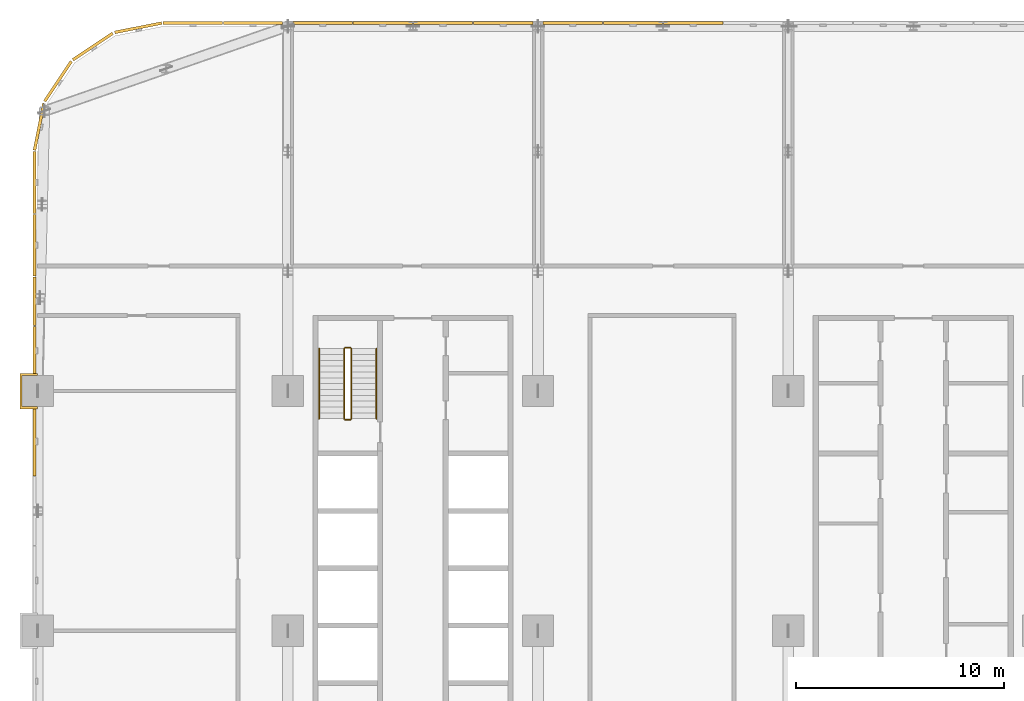
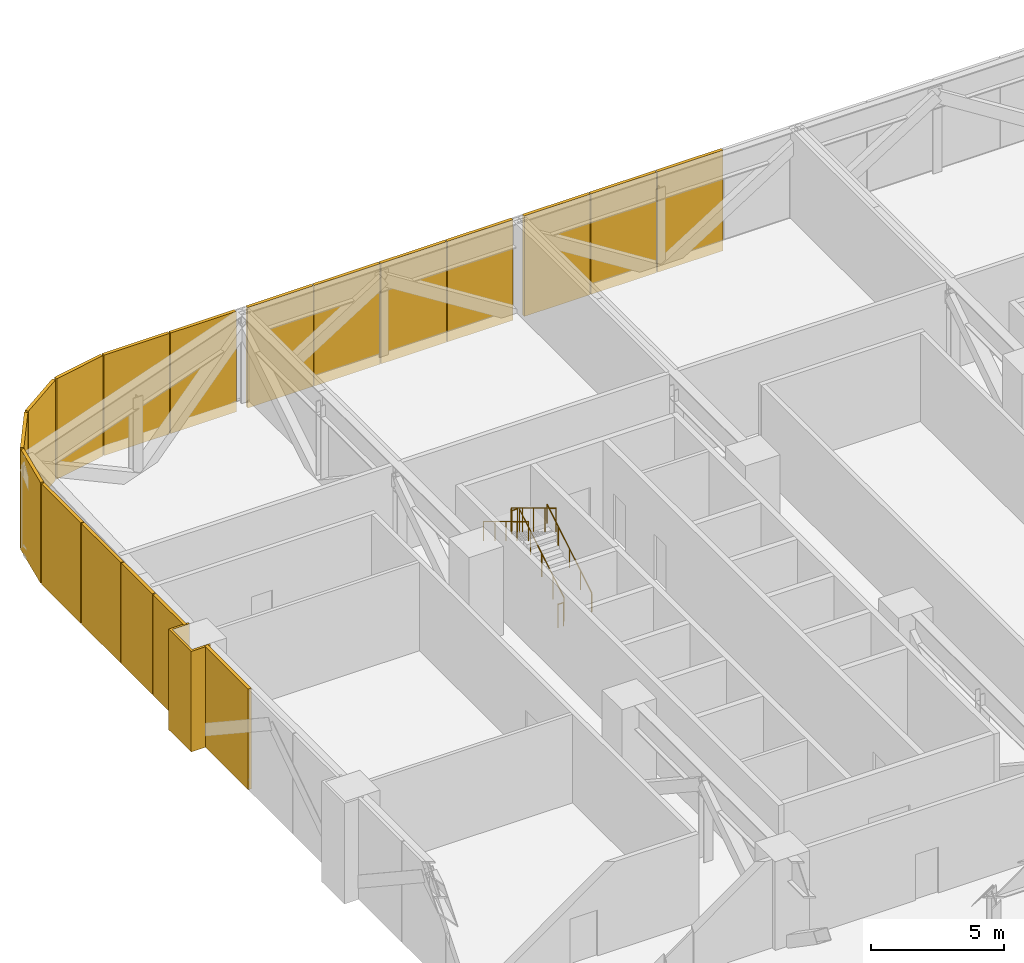
# One storey, part 23 of 26: 19 coverings, 6 railings.
"""IFC4 building model written with IfcOpenShell, lengths in metres."""

from ifc_helpers import new_model, si_unit, direction, frame, origin, origin_2d, place, context, subcontext, project, spatial, polyline, rectangle, circle, outline, extrude, material, layer, layer_set, type_object, element, save


model = new_model("IFC4")

# Units and contexts
model_context = context("Model", 3, precision=1e-05, world=origin(), true_north=direction((0.0, 1.0)))
body_context = subcontext(model_context, "Body", "Model", "MODEL_VIEW")
ifc_project = project(units=[si_unit("LENGTHUNIT", "METRE"), si_unit("AREAUNIT", "SQUARE_METRE"), si_unit("VOLUMEUNIT", "CUBIC_METRE"), si_unit("PLANEANGLEUNIT", "RADIAN"), si_unit("MASSUNIT", "GRAM", prefix="KILO")], contexts=[model_context])

# Site, building, storey
site_placement = place(None, origin())
site = spatial("IfcSite", under=ifc_project, at=site_placement, CompositionType="ELEMENT")
building_placement = place(site_placement, origin())
building = spatial("IfcBuilding", under=site, at=building_placement, Name="Mahtab Terrace Research Tower", CompositionType="ELEMENT")
storey_placement = place(building_placement, frame((0.0, 0.0, 80.39990234375)))
storey = spatial("IfcBuildingStorey", under=building, at=storey_placement, Name="L18", CompositionType="ELEMENT", Elevation=80.39990234375)

# Coverings
ifc_material_1 = material(Name="Dark anodised aluminium cladding", Category="aluminium")
ifc_layer = layer(ifc_material_1, 0.10009765625)
ifc_layer_set = layer_set([ifc_layer], Name="Column casing 100")
covering_type_1 = type_object("IfcCoveringType", Name="Column casing 100", PredefinedType="CLADDING", material=ifc_layer_set)
covering_1_placement = place(storey_placement, frame((0.0, 0.0, -0.5498046875)))
element("IfcCovering", 1, at=covering_1_placement, inside=storey, type_object=covering_type_1, Name="Column casing RC-1C L18", PredefinedType="CLADDING", context=body_context, shape_type="SweptSolid", body=[
    extrude(outline(polyline([(-42.85009765625, 12.35009765625), (-42.0, 12.35009765625), (-42.0, 12.25), (-42.75, 12.25), (-42.75, 10.75), (-42.0, 10.75), (-42.0, 10.64990234375), (-42.85009765625, 10.64990234375), (-42.85009765625, 12.35009765625)])), origin(), (0.0, 0.0, 1.0), 4.60986328125),
])
ifc_material_2 = material(Name="Natural anodised aluminium", Category="aluminium")
covering_type_2 = type_object("IfcCoveringType", Name="Plant storey louvre bay", PredefinedType="CLADDING", material=ifc_material_2)
for number, where, z_axis, x_axis, name in (
    (2, (-10.556884765625, 29.159912109375, -0.5498046875), (0.0, 0.0, 1.0), (-1.0, 0.0, 0.0), "Louvre bay L18 26"),
    (3, (-13.443115234375, 29.159912109375, -0.5498046875), (0.0, 0.0, 1.0), (-1.0, 0.0, 0.0), "Louvre bay L18 27"),
    (4, (-16.3291015625, 29.159912109375, -0.5498046875), (0.0, 0.0, 1.0), (-1.0, 0.0, 0.0), "Louvre bay L18 28"),
    (5, (-19.6708984375, 29.159912109375, -0.5498046875), (0.0, 0.0, 1.0), (-1.0, 0.0, 0.0), "Louvre bay L18 29"),
    (6, (-22.556884765625, 29.159912109375, -0.5498046875), (0.0, 0.0, 1.0), (-1.0, 0.0, 0.0), "Louvre bay L18 30"),
    (7, (-25.443115234375, 29.159912109375, -0.5498046875), (0.0, 0.0, 1.0), (-1.0, 0.0, 0.0), "Louvre bay L18 31"),
    (8, (-28.3291015625, 29.159912109375, -0.5498046875), (0.0, 0.0, 1.0), (-1.0, 0.0, 0.0), "Louvre bay L18 32"),
    (9, (-31.6708984375, 29.159912109375, -0.5498046875), (0.0, 0.0, 1.0), (-1.0, 0.0, 0.0), "Louvre bay L18 33"),
    (10, (-34.556884765625, 29.159912109375, -0.5498046875), (0.0, 0.0, 1.0), (-1.0, 0.0, 0.0), "Louvre bay L18 34"),
):
    element("IfcCovering", number, at=place(storey_placement, frame(where, z_axis=z_axis, x_axis=x_axis)), inside=storey, type_object=covering_type_2, Name=name, PredefinedType="CLADDING", context=body_context, shape_type="SweptSolid", body=[
        extrude(rectangle(XDim=2.845947265625, YDim=0.139892578125, at=origin_2d()), origin(), (0.0, 0.0, 1.0), 4.610107421875),
    ])
for number, where, z_axis, x_axis, name in (
    (11, (-37.17919921875, 28.928466796875, -0.5498046875), (0.0, 0.0, 1.0), (-0.980760981187, -0.195212442692, 0.0), "Louvre bay L18 35"),
    (12, (-39.3583984375, 28.026123046875, -0.5498046875), (0.0, 0.0, 1.0), (-0.831655794326, -0.555291490808, 0.0), "Louvre bay L18 36"),
    (13, (-41.026123046875, 26.3583984375, -0.5498046875), (0.0, 0.0, 1.0), (-0.555291490808, -0.831655794326, 0.0), "Louvre bay L18 37"),
    (14, (-41.928466796875, 24.17919921875, -0.5498046875), (0.0, 0.0, 1.0), (-0.195212442692, -0.980760981187, 0.0), "Louvre bay L18 38"),
):
    element("IfcCovering", number, at=place(storey_placement, frame(where, z_axis=z_axis, x_axis=x_axis)), inside=storey, type_object=covering_type_2, Name=name, PredefinedType="CLADDING", context=body_context, shape_type="SweptSolid", body=[
        extrude(rectangle(XDim=2.301025390625, YDim=0.139892578125, at=origin_2d()), origin(), (0.0, 0.0, 1.0), 4.610107421875),
    ])
for number, where, z_axis, x_axis, name in (
    (15, (-42.159912109375, 21.5, -0.5498046875), (0.0, 0.0, 1.0), (0.0, -1.0, 0.0), "Louvre bay L18 39"),
    (16, (-42.159912109375, 18.5, -0.5498046875), (0.0, 0.0, 1.0), (0.0, -1.0, 0.0), "Louvre bay L18 40"),
):
    element("IfcCovering", number, at=place(storey_placement, frame(where, z_axis=z_axis, x_axis=x_axis)), inside=storey, type_object=covering_type_2, Name=name, PredefinedType="CLADDING", context=body_context, shape_type="SweptSolid", body=[
        extrude(rectangle(XDim=2.9599609375, YDim=0.139892578125, at=origin_2d()), origin(), (0.0, 0.0, 1.0), 4.610107421875),
    ])
for number, where, z_axis, x_axis, name in (
    (17, (-42.159912109375, 15.8125, -0.5498046875), (0.0, 0.0, 1.0), (0.0, -1.0, 0.0), "Louvre bay L18 41"),
    (18, (-42.159912109375, 13.4375, -0.5498046875), (0.0, 0.0, 1.0), (0.0, -1.0, 0.0), "Louvre bay L18 42"),
):
    element("IfcCovering", number, at=place(storey_placement, frame(where, z_axis=z_axis, x_axis=x_axis)), inside=storey, type_object=covering_type_2, Name=name, PredefinedType="CLADDING", context=body_context, shape_type="SweptSolid", body=[
        extrude(rectangle(XDim=2.3349609375, YDim=0.139892578125, at=origin_2d()), origin(), (0.0, 0.0, 1.0), 4.610107421875),
    ])
covering_2_placement = place(storey_placement, frame((-42.159912109375, 9.083251953125, -0.5498046875), z_axis=(0.0, 0.0, 1.0), x_axis=(0.0, -1.0, 0.0)))
element("IfcCovering", 19, at=covering_2_placement, inside=storey, type_object=covering_type_2, Name="Louvre bay L18 43", PredefinedType="CLADDING", context=body_context, shape_type="SweptSolid", body=[
    extrude(rectangle(XDim=3.293212890625, YDim=0.139892578125, at=origin_2d()), origin(), (0.0, 0.0, 1.0), 4.610107421875),
])

# Railings
ifc_material_3 = material(Name="Stainless steel AISI 304", Category="steel")
railing_type_1 = type_object("IfcRailingType", Name="Stair guard 1100", PredefinedType="GUARDRAIL", material=ifc_material_3)
railing_1_placement = place(storey_placement, frame((-26.949951171875, 10.175048828125, 0.16943359375)))
element("IfcRailing", 20, at=railing_1_placement, inside=storey, type_object=railing_type_1, Name="L18 ST1 stair guard 1", PredefinedType="GUARDRAIL", context=body_context, shape_type="SweptSolid", body=[
    extrude(circle(Radius=0.02392578125, at=origin_2d()), frame((0.0, 0.0, 1.076171875), z_axis=(0.0, 0.855820338506, 0.51727318527), x_axis=(-1.0, 0.0, 0.0)), (0.0, 0.0, 1.0), 3.92578125),
    extrude(circle(Radius=0.02099609375, at=origin_2d()), origin(), (0.0, 0.0, 1.0), 1.052001953125),
    extrude(circle(Radius=0.02099609375, at=origin_2d()), frame((0.0, 0.83984375, 0.5078125)), (0.0, 0.0, 1.0), 1.052001953125),
    extrude(circle(Radius=0.02099609375, at=origin_2d()), frame((0.0, 1.679931640625, 1.015380859375)), (0.0, 0.0, 1.0), 1.052001953125),
    extrude(circle(Radius=0.02099609375, at=origin_2d()), frame((0.0, 2.52001953125, 1.52294921875)), (0.0, 0.0, 1.0), 1.052001953125),
    extrude(circle(Radius=0.02099609375, at=origin_2d()), frame((0.0, 3.35986328125, 2.03076171875)), (0.0, 0.0, 1.0), 1.052001953125),
])
railing_2_placement = place(storey_placement, frame((-27.0, 13.5849609375, 2.2001953125)))
element("IfcRailing", 21, at=railing_2_placement, inside=storey, type_object=railing_type_1, Name="L18 ST1 stair guard 2", PredefinedType="GUARDRAIL", context=body_context, shape_type="SweptSolid", body=[
    extrude(circle(Radius=0.02392578125, at=origin_2d()), frame((0.0, 0.0, 1.076171875), z_axis=(-1.0, 0.0, 0.0), x_axis=(0.0, -1.0, 0.0)), (0.0, 0.0, 1.0), 0.25),
    extrude(circle(Radius=0.02099609375, at=origin_2d()), origin(), (0.0, 0.0, 1.0), 1.052001953125),
    extrude(circle(Radius=0.02099609375, at=origin_2d()), frame((-0.25, 0.0, 0.0)), (0.0, 0.0, 1.0), 1.052001953125),
])
railing_3_placement = place(storey_placement, frame((-27.300048828125, 13.534912109375, 2.369384765625)))
element("IfcRailing", 22, at=railing_3_placement, inside=storey, type_object=railing_type_1, Name="L18 ST1 stair guard 3", PredefinedType="GUARDRAIL", context=body_context, shape_type="SweptSolid", body=[
    extrude(circle(Radius=0.02392578125, at=origin_2d()), frame((0.0, 0.0, 1.076171875), z_axis=(0.0, -0.855820338506, 0.51727318527), x_axis=(1.0, 0.0, 0.0)), (0.0, 0.0, 1.0), 3.92578125),
    extrude(circle(Radius=0.02099609375, at=origin_2d()), origin(), (0.0, 0.0, 1.0), 1.052001953125),
    extrude(circle(Radius=0.02099609375, at=origin_2d()), frame((0.0, -0.83984375, 0.5078125)), (0.0, 0.0, 1.0), 1.052001953125),
    extrude(circle(Radius=0.02099609375, at=origin_2d()), frame((0.0, -1.679931640625, 1.015380859375)), (0.0, 0.0, 1.0), 1.052001953125),
    extrude(circle(Radius=0.02099609375, at=origin_2d()), frame((0.0, -2.52001953125, 1.52294921875)), (0.0, 0.0, 1.0), 1.052001953125),
    extrude(circle(Radius=0.02099609375, at=origin_2d()), frame((0.0, -3.35986328125, 2.03076171875)), (0.0, 0.0, 1.0), 1.052001953125),
])
railing_4_placement = place(storey_placement, frame((-27.0, 10.125, 0.0)))
element("IfcRailing", 23, at=railing_4_placement, inside=storey, type_object=railing_type_1, Name="L18 ST1 stair guard 4", PredefinedType="GUARDRAIL", context=body_context, shape_type="SweptSolid", body=[
    extrude(circle(Radius=0.02392578125, at=origin_2d()), frame((0.0, 0.0, 1.076171875), z_axis=(-1.0, 0.0, 0.0), x_axis=(0.0, -1.0, 0.0)), (0.0, 0.0, 1.0), 0.25),
    extrude(circle(Radius=0.02099609375, at=origin_2d()), origin(), (0.0, 0.0, 1.0), 1.052001953125),
    extrude(circle(Radius=0.02099609375, at=origin_2d()), frame((-0.25, 0.0, 0.0)), (0.0, 0.0, 1.0), 1.052001953125),
])
railing_type_2 = type_object("IfcRailingType", Name="Stair handrail 900", PredefinedType="HANDRAIL", material=ifc_material_3)
railing_5_placement = place(storey_placement, frame((-25.75, 10.175048828125, 0.16943359375)))
element("IfcRailing", 24, at=railing_5_placement, inside=storey, type_object=railing_type_2, Name="L18 ST1 stair handrail 1", PredefinedType="HANDRAIL", context=body_context, shape_type="SweptSolid", body=[
    extrude(circle(Radius=0.02392578125, at=origin_2d()), frame((0.0, 0.0, 0.8759765625), z_axis=(0.0, 0.855820338506, 0.51727318527), x_axis=(-1.0, 0.0, 0.0)), (0.0, 0.0, 1.0), 3.92578125),
    extrude(circle(Radius=0.02099609375, at=origin_2d()), origin(), (0.0, 0.0, 1.0), 0.851806640625),
    extrude(circle(Radius=0.02099609375, at=origin_2d()), frame((0.0, 0.83984375, 0.5078125)), (0.0, 0.0, 1.0), 0.851806640625),
    extrude(circle(Radius=0.02099609375, at=origin_2d()), frame((0.0, 1.679931640625, 1.015380859375)), (0.0, 0.0, 1.0), 0.851806640625),
    extrude(circle(Radius=0.02099609375, at=origin_2d()), frame((0.0, 2.52001953125, 1.52294921875)), (0.0, 0.0, 1.0), 0.851806640625),
    extrude(circle(Radius=0.02099609375, at=origin_2d()), frame((0.0, 3.35986328125, 2.03076171875)), (0.0, 0.0, 1.0), 0.851806640625),
])
railing_6_placement = place(storey_placement, frame((-28.5, 13.534912109375, 2.369384765625)))
element("IfcRailing", 25, at=railing_6_placement, inside=storey, type_object=railing_type_2, Name="L18 ST1 stair handrail 2", PredefinedType="HANDRAIL", context=body_context, shape_type="SweptSolid", body=[
    extrude(circle(Radius=0.02392578125, at=origin_2d()), frame((0.0, 0.0, 0.8759765625), z_axis=(0.0, -0.855820338506, 0.51727318527), x_axis=(1.0, 0.0, 0.0)), (0.0, 0.0, 1.0), 3.92578125),
    extrude(circle(Radius=0.02099609375, at=origin_2d()), origin(), (0.0, 0.0, 1.0), 0.851806640625),
    extrude(circle(Radius=0.02099609375, at=origin_2d()), frame((0.0, -0.83984375, 0.5078125)), (0.0, 0.0, 1.0), 0.851806640625),
    extrude(circle(Radius=0.02099609375, at=origin_2d()), frame((0.0, -1.679931640625, 1.015380859375)), (0.0, 0.0, 1.0), 0.851806640625),
    extrude(circle(Radius=0.02099609375, at=origin_2d()), frame((0.0, -2.52001953125, 1.52294921875)), (0.0, 0.0, 1.0), 0.851806640625),
    extrude(circle(Radius=0.02099609375, at=origin_2d()), frame((0.0, -3.35986328125, 2.03076171875)), (0.0, 0.0, 1.0), 0.851806640625),
])

save(model, "model.ifc")
